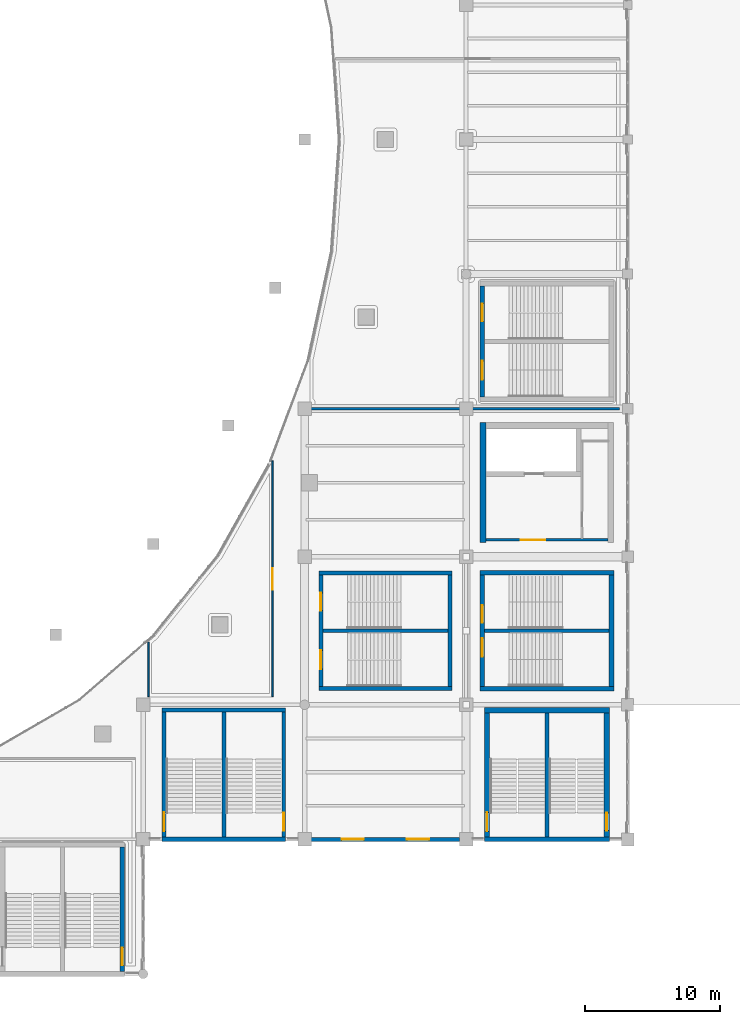
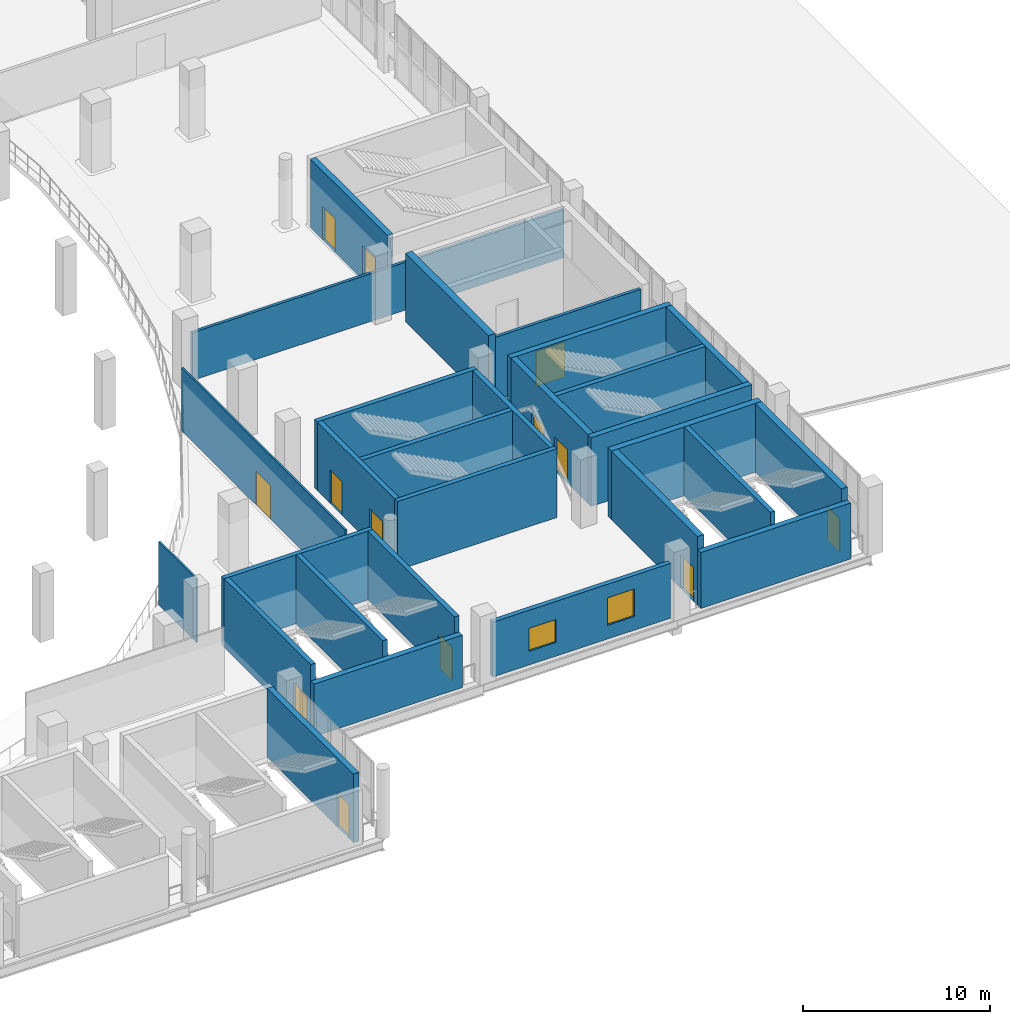
# One storey, part 84 of 108: 28 walls, 13 doors, 2 windows, 15 openings.
"""IFC4 building model written with IfcOpenShell, lengths in metres."""

from ifc_helpers import new_model, si_unit, direction, frame, frame_2d, origin, place, context, subcontext, project, spatial, rectangle, extrude, material, layer, layer_set, type_object, element, fill, save


model = new_model("IFC4")

# Units and contexts
model_context = context("Model", 3, precision=1e-05, world=origin(), true_north=direction((0.0, 1.0)))
body_context = subcontext(model_context, "Body", "Model", "MODEL_VIEW")
ifc_project = project(units=[si_unit("LENGTHUNIT", "METRE"), si_unit("AREAUNIT", "SQUARE_METRE"), si_unit("VOLUMEUNIT", "CUBIC_METRE"), si_unit("PLANEANGLEUNIT", "RADIAN"), si_unit("MASSUNIT", "GRAM", prefix="KILO")], contexts=[model_context])

# Site, building, storey
site_placement = place(None, origin())
site = spatial("IfcSite", under=ifc_project, at=site_placement, CompositionType="ELEMENT")
building_placement = place(site_placement, origin())
building = spatial("IfcBuilding", under=site, at=building_placement, Name="Brinegate Civic Arena", CompositionType="ELEMENT")
storey_placement = place(building_placement, frame((0.0, 0.0, 10.199951171875)))
storey = spatial("IfcBuildingStorey", under=building, at=storey_placement, Name="L02", CompositionType="ELEMENT", Elevation=10.199951171875)

# Wall, opening, door
ifc_material_1 = material(Name="Concrete C50/60", Category="concrete")
ifc_layer_1 = layer(ifc_material_1, 0.35009765625, Name="Concrete C50/60")
ifc_layer_set_1 = layer_set([ifc_layer_1], Name="Concrete C50/60")
wall_type_1 = type_object("IfcWallType", Name="WALL-CORE-SHEAR-350", PredefinedType="SHEAR", material=ifc_layer_set_1)
wall_1_placement = place(storey_placement, frame((130.449951171875, 0.175048828125, 0.0), z_axis=(0.0, 0.0, 1.0), x_axis=(0.0, 1.0, 0.0)))
wall_1 = element("IfcWall", 1, at=wall_1_placement, inside=storey, type_object=wall_type_1, Name="Stair ST-04 East Shear Wall L02 (WBC-06)", PredefinedType="SHEAR", context=body_context, shape_type="SweptSolid", body=[
    extrude(rectangle(XDim=9.25, YDim=0.35009765625, at=frame_2d((4.625, 0.0))), origin(), (0.0, 0.0, 1.0), 4.5),
])
opening_1_placement = place(wall_1_placement, frame((0.465087890625, 0.0, 0.0)))
opening_1 = element("IfcOpeningElement", 2, at=opening_1_placement, cuts=wall_1, Name="Opening D-ST04B-L02", PredefinedType="OPENING", context=body_context, shape_type="SweptSolid", body=[
    extrude(rectangle(XDim=1.320068359375, YDim=2.199951171875, at=frame_2d((0.66015625, 1.10009765625))), frame((0.0, 0.18505859375, 0.0), z_axis=(0.0, -1.0, 0.0), x_axis=(1.0, 0.0, 0.0)), (0.0, 0.0, 1.0), 0.3701171875),
])
ifc_material_2 = material(Name="Galvanized hurricane steel", Category="steel")
door_type_1 = type_object("IfcDoorType", Name="DOOR-STAIR-2200X2200", OperationType="NOTDEFINED", PredefinedType="DOOR", material=ifc_material_2)
door_1_placement = place(opening_1_placement, origin())
door_1 = element("IfcDoor", 3, at=door_1_placement, inside=storey, type_object=door_type_1, Name="Protected Exit Stair Door D-ST04B-L02", OperationType="DOUBLE_DOOR_SINGLE_SWING", OverallHeight=2.199951171875, OverallWidth=1.320068359375, PredefinedType="DOOR", context=body_context, shape_type="SweptSolid", body=[
    extrude(rectangle(XDim=1.320068359375, YDim=2.199951171875, at=frame_2d((0.66015625, 1.10009765625))), frame((0.0, 0.02490234375, 0.0), z_axis=(0.0, -1.0, 0.0), x_axis=(1.0, 0.0, 0.0)), (0.0, 0.0, 1.0), 0.050048828125),
])
fill(opening_1, door_1)

# Wall, openings, doors
wall_2_placement = place(storey_placement, frame((157.199951171875, 42.875, 0.0), z_axis=(0.0, 0.0, 1.0), x_axis=(0.0, 1.0, 0.0)))
wall_2 = element("IfcWall", 4, at=wall_2_placement, inside=storey, type_object=wall_type_1, Name="Stair ST-10 West Shear Wall L02 (WBD-66)", PredefinedType="SHEAR", context=body_context, shape_type="SweptSolid", body=[
    extrude(rectangle(XDim=8.25, YDim=0.35009765625, at=frame_2d((4.125, 0.0))), origin(), (0.0, 0.0, 1.0), 4.5),
])
opening_2_placement = place(wall_2_placement, frame((1.27490234375, 0.0, 0.0)))
opening_2 = element("IfcOpeningElement", 5, at=opening_2_placement, cuts=wall_2, Name="Opening D-ST10A-L02", PredefinedType="OPENING", context=body_context, shape_type="SweptSolid", body=[
    extrude(rectangle(XDim=1.39990234375, YDim=2.199951171875, at=frame_2d((0.699951171875, 1.10009765625))), frame((0.0, 0.18505859375, 0.0), z_axis=(0.0, -1.0, 0.0), x_axis=(1.0, 0.0, 0.0)), (0.0, 0.0, 1.0), 0.3701171875),
])
opening_3_placement = place(wall_2_placement, frame((5.614990234375, 0.0, 0.0)))
opening_3 = element("IfcOpeningElement", 6, at=opening_3_placement, cuts=wall_2, Name="Opening D-ST10B-L02", PredefinedType="OPENING", context=body_context, shape_type="SweptSolid", body=[
    extrude(rectangle(XDim=1.320068359375, YDim=2.199951171875, at=frame_2d((0.66015625, 1.10009765625))), frame((0.0, 0.18505859375, 0.0), z_axis=(0.0, -1.0, 0.0), x_axis=(1.0, 0.0, 0.0)), (0.0, 0.0, 1.0), 0.3701171875),
])
door_2_placement = place(opening_3_placement, origin())
door_2 = element("IfcDoor", 7, at=door_2_placement, inside=storey, type_object=door_type_1, Name="Protected Exit Stair Door D-ST10B-L02", OperationType="DOUBLE_DOOR_SINGLE_SWING", OverallHeight=2.199951171875, OverallWidth=1.320068359375, PredefinedType="DOOR", context=body_context, shape_type="SweptSolid", body=[
    extrude(rectangle(XDim=1.320068359375, YDim=2.199951171875, at=frame_2d((0.66015625, 1.10009765625))), frame((0.0, 0.02490234375, 0.0), z_axis=(0.0, -1.0, 0.0), x_axis=(1.0, 0.0, 0.0)), (0.0, 0.0, 1.0), 0.050048828125),
])
fill(opening_3, door_2)
door_type_2 = type_object("IfcDoorType", Name="DOOR-STAIR-2400X2200", OperationType="NOTDEFINED", PredefinedType="DOOR", material=ifc_material_2)
door_3_placement = place(opening_2_placement, origin())
door_3 = element("IfcDoor", 8, at=door_3_placement, inside=storey, type_object=door_type_2, Name="Protected Exit Stair Door D-ST10A-L02", OperationType="DOUBLE_DOOR_SINGLE_SWING", OverallHeight=2.199951171875, OverallWidth=1.39990234375, PredefinedType="DOOR", context=body_context, shape_type="SweptSolid", body=[
    extrude(rectangle(XDim=1.39990234375, YDim=2.199951171875, at=frame_2d((0.699951171875, 1.10009765625))), frame((0.0, 0.02490234375, 0.0), z_axis=(0.0, -1.0, 0.0), x_axis=(1.0, 0.0, 0.0)), (0.0, 0.0, 1.0), 0.050048828125),
])
fill(opening_2, door_3)

# Walls
for number, where, z_axis, x_axis, name in (
    (9, (157.02490234375, 21.199951171875, 0.0), (0.0, 0.0, 1.0), (1.0, 0.0, 0.0), "Stair ST-19 South Shear Wall L02 (WBL-36)"),
    (10, (157.02490234375, 29.800048828125, 0.0), (0.0, 0.0, 1.0), (1.0, 0.0, 0.0), "Stair ST-19 North Shear Wall L02 (WBL-37)"),
):
    element("IfcWall", number, at=place(storey_placement, frame(where, z_axis=z_axis, x_axis=x_axis)), inside=storey, type_object=wall_type_1, Name=name, PredefinedType="SHEAR", context=body_context, shape_type="SweptSolid", body=[
        extrude(rectangle(XDim=9.9501953125, YDim=0.35009765625, at=frame_2d((4.97509765625, 0.0))), origin(), (0.0, 0.0, 1.0), 4.5),
    ])

# Wall, openings, doors
wall_3_placement = place(storey_placement, frame((157.199951171875, 21.375, 0.0), z_axis=(0.0, 0.0, 1.0), x_axis=(0.0, 1.0, 0.0)))
wall_3 = element("IfcWall", 11, at=wall_3_placement, inside=storey, type_object=wall_type_1, Name="Stair ST-19 West Shear Wall L02 (WBL-38)", PredefinedType="SHEAR", context=body_context, shape_type="SweptSolid", body=[
    extrude(rectangle(XDim=8.25, YDim=0.35009765625, at=frame_2d((4.125, 0.0))), origin(), (0.0, 0.0, 1.0), 4.5),
])
opening_4_placement = place(wall_3_placement, frame((2.175048828125, 0.0, 0.0)))
opening_4 = element("IfcOpeningElement", 12, at=opening_4_placement, cuts=wall_3, Name="Opening D-ST19A-L02", PredefinedType="OPENING", context=body_context, shape_type="SweptSolid", body=[
    extrude(rectangle(XDim=1.39990234375, YDim=2.199951171875, at=frame_2d((0.699951171875, 1.10009765625))), frame((0.0, 0.18505859375, 0.0), z_axis=(0.0, -1.0, 0.0), x_axis=(1.0, 0.0, 0.0)), (0.0, 0.0, 1.0), 0.3701171875),
])
opening_5_placement = place(wall_3_placement, frame((4.715087890625, 0.0, 0.0)))
opening_5 = element("IfcOpeningElement", 13, at=opening_5_placement, cuts=wall_3, Name="Opening D-ST19B-L02", PredefinedType="OPENING", context=body_context, shape_type="SweptSolid", body=[
    extrude(rectangle(XDim=1.320068359375, YDim=2.199951171875, at=frame_2d((0.66015625, 1.10009765625))), frame((0.0, 0.18505859375, 0.0), z_axis=(0.0, -1.0, 0.0), x_axis=(1.0, 0.0, 0.0)), (0.0, 0.0, 1.0), 0.3701171875),
])
door_4_placement = place(opening_5_placement, origin())
door_4 = element("IfcDoor", 14, at=door_4_placement, inside=storey, type_object=door_type_1, Name="Protected Exit Stair Door D-ST19B-L02", OperationType="DOUBLE_DOOR_SINGLE_SWING", OverallHeight=2.199951171875, OverallWidth=1.320068359375, PredefinedType="DOOR", context=body_context, shape_type="SweptSolid", body=[
    extrude(rectangle(XDim=1.320068359375, YDim=2.199951171875, at=frame_2d((0.66015625, 1.10009765625))), frame((0.0, 0.02490234375, 0.0), z_axis=(0.0, -1.0, 0.0), x_axis=(1.0, 0.0, 0.0)), (0.0, 0.0, 1.0), 0.050048828125),
])
fill(opening_5, door_4)
door_5_placement = place(opening_4_placement, origin())
door_5 = element("IfcDoor", 15, at=door_5_placement, inside=storey, type_object=door_type_2, Name="Protected Exit Stair Door D-ST19A-L02", OperationType="DOUBLE_DOOR_SINGLE_SWING", OverallHeight=2.199951171875, OverallWidth=1.39990234375, PredefinedType="DOOR", context=body_context, shape_type="SweptSolid", body=[
    extrude(rectangle(XDim=1.39990234375, YDim=2.199951171875, at=frame_2d((0.699951171875, 1.10009765625))), frame((0.0, 0.02490234375, 0.0), z_axis=(0.0, -1.0, 0.0), x_axis=(1.0, 0.0, 0.0)), (0.0, 0.0, 1.0), 0.050048828125),
])
fill(opening_4, door_5)

# Walls
wall_4_placement = place(storey_placement, frame((166.800048828125, 21.375, 0.0), z_axis=(0.0, 0.0, 1.0), x_axis=(0.0, 1.0, 0.0)))
element("IfcWall", 16, at=wall_4_placement, inside=storey, type_object=wall_type_1, Name="Stair ST-19 East Shear Wall L02 (WBL-39)", PredefinedType="SHEAR", context=body_context, shape_type="SweptSolid", body=[
    extrude(rectangle(XDim=8.25, YDim=0.35009765625, at=frame_2d((4.125, 0.0))), origin(), (0.0, 0.0, 1.0), 4.5),
])
ifc_layer_2 = layer(ifc_material_1, 0.389892578125, Name="Concrete C50/60")
ifc_layer_set_2 = layer_set([ifc_layer_2], Name="Concrete C50/60")
wall_type_2 = type_object("IfcWallType", Name="WALL-CORE-SHEAR-390", PredefinedType="SHEAR", material=ifc_layer_set_2)
wall_5_placement = place(storey_placement, frame((157.35498046875, 19.60009765625, 0.0), z_axis=(0.0, 0.0, 1.0), x_axis=(1.0, 0.0, 0.0)))
element("IfcWall", 17, at=wall_5_placement, inside=storey, type_object=wall_type_2, Name="Stair ST-06 North Shear Wall L02 (WBC-54)", PredefinedType="SHEAR", context=body_context, shape_type="SweptSolid", body=[
    extrude(rectangle(XDim=9.2900390625, YDim=0.389892578125, at=frame_2d((4.64501953125, 0.0))), origin(), (0.0, 0.0, 1.0), 4.5),
])

# Wall, opening, door
wall_6_placement = place(storey_placement, frame((157.550048828125, 10.175048828125, 0.0), z_axis=(0.0, 0.0, 1.0), x_axis=(0.0, 1.0, 0.0)))
wall_6 = element("IfcWall", 18, at=wall_6_placement, inside=storey, type_object=wall_type_2, Name="Stair ST-06 West Shear Wall L02 (WBC-55)", PredefinedType="SHEAR", context=body_context, shape_type="SweptSolid", body=[
    extrude(rectangle(XDim=9.22998046875, YDim=0.389892578125, at=frame_2d((4.614990234375, 0.0))), origin(), (0.0, 0.0, 1.0), 4.5),
])
opening_6_placement = place(wall_6_placement, frame((0.425048828125, 0.0, 0.0)))
opening_6 = element("IfcOpeningElement", 19, at=opening_6_placement, cuts=wall_6, Name="Opening D-ST06A-L02", PredefinedType="OPENING", context=body_context, shape_type="SweptSolid", body=[
    extrude(rectangle(XDim=1.39990234375, YDim=2.199951171875, at=frame_2d((0.699951171875, 1.10009765625))), frame((0.0, 0.204833984375, 0.0), z_axis=(0.0, -1.0, 0.0), x_axis=(1.0, 0.0, 0.0)), (0.0, 0.0, 1.0), 0.409912109375),
])
door_6_placement = place(opening_6_placement, frame((1.39990234375, 0.0, 0.0), z_axis=(0.0, 0.0, 1.0), x_axis=(-1.0, 0.0, 0.0)))
door_6 = element("IfcDoor", 20, at=door_6_placement, inside=storey, type_object=door_type_2, Name="Protected Exit Stair Door D-ST06A-L02", OperationType="DOUBLE_DOOR_SINGLE_SWING", OverallHeight=2.199951171875, OverallWidth=1.39990234375, PredefinedType="DOOR", context=body_context, shape_type="SweptSolid", body=[
    extrude(rectangle(XDim=1.39990234375, YDim=2.199951171875, at=frame_2d((0.699951171875, 1.10009765625))), frame((0.0, 0.02490234375, 0.0), z_axis=(0.0, -1.0, 0.0), x_axis=(1.0, 0.0, 0.0)), (0.0, 0.0, 1.0), 0.050048828125),
])
fill(opening_6, door_6)

wall_7_placement = place(storey_placement, frame((166.449951171875, 10.175048828125, 0.0), z_axis=(0.0, 0.0, 1.0), x_axis=(0.0, 1.0, 0.0)))
wall_7 = element("IfcWall", 21, at=wall_7_placement, inside=storey, type_object=wall_type_2, Name="Stair ST-06 East Shear Wall L02 (WBC-56)", PredefinedType="SHEAR", context=body_context, shape_type="SweptSolid", body=[
    extrude(rectangle(XDim=9.22998046875, YDim=0.389892578125, at=frame_2d((4.614990234375, 0.0))), origin(), (0.0, 0.0, 1.0), 4.5),
])
opening_7_placement = place(wall_7_placement, frame((0.465087890625, 0.0, 0.0)))
opening_7 = element("IfcOpeningElement", 22, at=opening_7_placement, cuts=wall_7, Name="Opening D-ST06B-L02", PredefinedType="OPENING", context=body_context, shape_type="SweptSolid", body=[
    extrude(rectangle(XDim=1.320068359375, YDim=2.199951171875, at=frame_2d((0.66015625, 1.10009765625))), frame((0.0, 0.204833984375, 0.0), z_axis=(0.0, -1.0, 0.0), x_axis=(1.0, 0.0, 0.0)), (0.0, 0.0, 1.0), 0.409912109375),
])
door_7_placement = place(opening_7_placement, origin())
door_7 = element("IfcDoor", 23, at=door_7_placement, inside=storey, type_object=door_type_1, Name="Protected Exit Stair Door D-ST06B-L02", OperationType="DOUBLE_DOOR_SINGLE_SWING", OverallHeight=2.199951171875, OverallWidth=1.320068359375, PredefinedType="DOOR", context=body_context, shape_type="SweptSolid", body=[
    extrude(rectangle(XDim=1.320068359375, YDim=2.199951171875, at=frame_2d((0.66015625, 1.10009765625))), frame((0.0, 0.02490234375, 0.0), z_axis=(0.0, -1.0, 0.0), x_axis=(1.0, 0.0, 0.0)), (0.0, 0.0, 1.0), 0.050048828125),
])
fill(opening_7, door_7)

# Wall
ifc_layer_3 = layer(ifc_material_1, 0.419921875, Name="Concrete C50/60")
ifc_layer_set_3 = layer_set([ifc_layer_3], Name="Concrete C50/60")
wall_type_3 = type_object("IfcWallType", Name="WALL-CORE-SHEAR-420", PredefinedType="SHEAR", material=ifc_layer_set_3)
wall_8_placement = place(storey_placement, frame((157.25, 32.0400390625, 0.0), z_axis=(0.0, 0.0, 1.0), x_axis=(0.0, 1.0, 0.0)))
element("IfcWall", 24, at=wall_8_placement, inside=storey, type_object=wall_type_3, Name="Core K6 West Shear Wall L02 (WBH-96)", PredefinedType="SHEAR", context=body_context, shape_type="SweptSolid", body=[
    extrude(rectangle(XDim=8.919921875, YDim=0.419921875, at=frame_2d((4.4599609375, 0.0))), origin(), (0.0, 0.0, 1.0), 4.5),
])

# Wall, openings, windows
ifc_material_3 = material(Name="Precast concrete C45/55", Category="concrete")
ifc_layer_4 = layer(ifc_material_3, 0.284912109375, Name="Precast concrete C45/55")
ifc_layer_set_4 = layer_set([ifc_layer_4], Name="Precast concrete C45/55")
wall_type_4 = type_object("IfcWallType", Name="WALL-EXT-PRECAST-285", PredefinedType="SOLIDWALL", material=ifc_layer_set_4)
wall_9_placement = place(storey_placement, frame((144.485107421875, 10.0, 0.0), z_axis=(0.0, 0.0, 1.0), x_axis=(1.0, 0.0, 0.0)))
wall_9 = element("IfcWall", 25, at=wall_9_placement, inside=storey, type_object=wall_type_4, Name="Perimeter Window Wall L02-10 (WBA-10)", PredefinedType="SOLIDWALL", context=body_context, shape_type="SweptSolid", body=[
    extrude(rectangle(XDim=11.02978515625, YDim=0.284912109375, at=frame_2d((5.514892578125, 0.0))), origin(), (0.0, 0.0, 1.0), 3.5859375),
])
opening_8_placement = place(wall_9_placement, frame((2.262939453125, 0.0, 0.89990234375)))
opening_8 = element("IfcOpeningElement", 26, at=opening_8_placement, cuts=wall_9, Name="Opening WN-0017", PredefinedType="OPENING", context=body_context, shape_type="SweptSolid", body=[
    extrude(rectangle(XDim=1.64990234375, YDim=1.5, at=frame_2d((0.824951171875, 0.75))), frame((0.0, 0.15234375, 0.0), z_axis=(0.0, -1.0, 0.0), x_axis=(1.0, 0.0, 0.0)), (0.0, 0.0, 1.0), 0.304931640625),
])
opening_9_placement = place(wall_9_placement, frame((7.116943359375, 0.0, 0.89990234375)))
opening_9 = element("IfcOpeningElement", 27, at=opening_9_placement, cuts=wall_9, Name="Opening WN-0018", PredefinedType="OPENING", context=body_context, shape_type="SweptSolid", body=[
    extrude(rectangle(XDim=1.64990234375, YDim=1.800048828125, at=frame_2d((0.824951171875, 0.89990234375))), frame((0.0, 0.15234375, 0.0), z_axis=(0.0, -1.0, 0.0), x_axis=(1.0, 0.0, 0.0)), (0.0, 0.0, 1.0), 0.304931640625),
])
ifc_material_4 = material(Name="Hurricane laminated low-E glass", Category="glass")
window_type_1 = type_object("IfcWindowType", Name="WIN-CASEMENT-1650X1500", PartitioningType="SINGLE_PANEL", PredefinedType="WINDOW", material=ifc_material_4)
window_1_placement = place(opening_8_placement, origin())
window_1 = element("IfcWindow", 28, at=window_1_placement, inside=storey, type_object=window_type_1, Name="Window WN-0017", OverallHeight=1.5, OverallWidth=1.64990234375, PartitioningType="SINGLE_PANEL", PredefinedType="WINDOW", context=body_context, shape_type="SweptSolid", body=[
    extrude(rectangle(XDim=1.64990234375, YDim=1.5, at=frame_2d((0.824951171875, 0.75))), frame((0.0, 0.030029296875, 0.0), z_axis=(0.0, -1.0, 0.0), x_axis=(1.0, 0.0, 0.0)), (0.0, 0.0, 1.0), 0.06005859375),
])
fill(opening_8, window_1)
window_type_2 = type_object("IfcWindowType", Name="WIN-CASEMENT-1650X1800", PartitioningType="SINGLE_PANEL", PredefinedType="WINDOW", material=ifc_material_4)
window_2_placement = place(opening_9_placement, origin())
window_2 = element("IfcWindow", 29, at=window_2_placement, inside=storey, type_object=window_type_2, Name="Window WN-0018", OverallHeight=1.800048828125, OverallWidth=1.64990234375, PartitioningType="SINGLE_PANEL", PredefinedType="WINDOW", context=body_context, shape_type="SweptSolid", body=[
    extrude(rectangle(XDim=1.64990234375, YDim=1.800048828125, at=frame_2d((0.824951171875, 0.89990234375))), frame((0.0, 0.030029296875, 0.0), z_axis=(0.0, -1.0, 0.0), x_axis=(1.0, 0.0, 0.0)), (0.0, 0.0, 1.0), 0.06005859375),
])
fill(opening_9, window_2)

# Walls
ifc_layer_5 = layer(ifc_material_1, 0.35009765625, Name="Concrete C50/60")
ifc_layer_set_5 = layer_set([ifc_layer_5], Name="Concrete C50/60")
wall_type_5 = type_object("IfcWallType", Name="WALL-EXT-STAIR-SHEAR-350", PredefinedType="SHEAR", material=ifc_layer_set_5)
wall_10_placement = place(storey_placement, frame((157.35498046875, 10.0, 0.0), z_axis=(0.0, 0.0, 1.0), x_axis=(1.0, 0.0, 0.0)))
element("IfcWall", 30, at=wall_10_placement, inside=storey, type_object=wall_type_5, Name="Stair ST-06 South Shear Wall L02 (WBC-53)", PredefinedType="SHEAR", context=body_context, shape_type="SweptSolid", body=[
    extrude(rectangle(XDim=9.2900390625, YDim=0.35009765625, at=frame_2d((4.64501953125, 0.0))), origin(), (0.0, 0.0, 1.0), 3.6640625),
])
wall_11_placement = place(storey_placement, frame((133.405029296875, 10.0, 0.0), z_axis=(0.0, 0.0, 1.0), x_axis=(1.0, 0.0, 0.0)))
element("IfcWall", 31, at=wall_11_placement, inside=storey, type_object=wall_type_5, Name="Stair ST-14 South Shear Wall L02 (WBE-65)", PredefinedType="SHEAR", context=body_context, shape_type="SweptSolid", body=[
    extrude(rectangle(XDim=9.18994140625, YDim=0.35009765625, at=frame_2d((4.594970703125, 0.0))), origin(), (0.0, 0.0, 1.0), 3.43701171875),
])
ifc_material_5 = material(Name="Fire-rated gypsum partition assembly")
ifc_layer_6 = layer(ifc_material_5, 0.175048828125, Name="Fire-rated gypsum partition assembly")
ifc_layer_set_6 = layer_set([ifc_layer_6], Name="Fire-rated gypsum partition assembly")
wall_type_6 = type_object("IfcWallType", Name="WALL-PART-RATED-175", PredefinedType="PARTITIONING", material=ifc_layer_set_6)
wall_12_placement = place(storey_placement, frame((167.39990234375, 42.0, 0.0), z_axis=(0.0, 0.0, 1.0), x_axis=(-1.0, 0.0, 0.0)))
element("IfcWall", 32, at=wall_12_placement, inside=storey, type_object=wall_type_6, Name="East Club Culinary Lounge and Bar Partition Wall E1 (WBJ-29)", PredefinedType="PARTITIONING", context=body_context, shape_type="SweptSolid", body=[
    extrude(rectangle(XDim=23.0, YDim=0.175048828125, at=frame_2d((11.5, 0.0))), origin(), (0.0, 0.0, 1.0), 3.130126953125),
])

# Wall, opening, door
ifc_material_6 = material(Name="Concrete blockwork masonry", Category="masonry")
ifc_layer_7 = layer(ifc_material_6, 0.18994140625, Name="Concrete blockwork masonry")
ifc_layer_set_7 = layer_set([ifc_layer_7], Name="Concrete blockwork masonry")
wall_type_7 = type_object("IfcWallType", Name="WALL-PART-RATED-190", PredefinedType="PARTITIONING", material=ifc_layer_set_7)
wall_13_placement = place(storey_placement, frame((157.469970703125, 32.25, 0.0), z_axis=(0.0, 0.0, 1.0), x_axis=(1.0, 0.0, 0.0)))
wall_13 = element("IfcWall", 33, at=wall_13_placement, inside=storey, type_object=wall_type_7, Name="Core K6 Concourse Lobby Wall L02 (WBI-02)", PredefinedType="PARTITIONING", context=body_context, shape_type="SweptSolid", body=[
    extrude(rectangle(XDim=9.06005859375, YDim=0.18994140625, at=frame_2d((4.530029296875, 0.0))), origin(), (0.0, 0.0, 1.0), 4.150146484375),
])
opening_10_placement = place(wall_13_placement, frame((2.60009765625, 0.0, 0.0)))
opening_10 = element("IfcOpeningElement", 34, at=opening_10_placement, cuts=wall_13, Name="Opening D-K6L-L02", PredefinedType="OPENING", context=body_context, shape_type="SweptSolid", body=[
    extrude(rectangle(XDim=1.800048828125, YDim=2.300048828125, at=frame_2d((0.89990234375, 1.14990234375))), frame((0.0, 0.10498046875, 0.0), z_axis=(0.0, -1.0, 0.0), x_axis=(1.0, 0.0, 0.0)), (0.0, 0.0, 1.0), 0.2099609375),
])
ifc_material_7 = material(Name="Marine grade aluminium", Category="aluminium")
door_type_3 = type_object("IfcDoorType", Name="DOOR-CONC-1800X2300", OperationType="NOTDEFINED", PredefinedType="DOOR", material=ifc_material_7)
door_8_placement = place(opening_10_placement, origin())
door_8 = element("IfcDoor", 35, at=door_8_placement, inside=storey, type_object=door_type_3, Name="Lift Lobby Door D-K6L-L02", OperationType="DOUBLE_DOOR_SINGLE_SWING", OverallHeight=2.300048828125, OverallWidth=1.800048828125, PredefinedType="DOOR", context=body_context, shape_type="SweptSolid", body=[
    extrude(rectangle(XDim=1.800048828125, YDim=2.300048828125, at=frame_2d((0.89990234375, 1.14990234375))), frame((0.0, 0.02490234375, 0.0), z_axis=(0.0, -1.0, 0.0), x_axis=(1.0, 0.0, 0.0)), (0.0, 0.0, 1.0), 0.050048828125),
])
fill(opening_10, door_8)

# Wall
ifc_layer_8 = layer(ifc_material_5, 0.114990234375, Name="Fire-rated gypsum partition assembly")
ifc_layer_set_8 = layer_set([ifc_layer_8], Name="Fire-rated gypsum partition assembly")
wall_type_8 = type_object("IfcWallType", Name="WALL-PART-STD-115", PredefinedType="PARTITIONING", material=ifc_layer_set_8)
wall_14_placement = place(storey_placement, frame((132.39990234375, 20.60009765625, 0.0), z_axis=(0.0, 0.0, 1.0), x_axis=(0.0, 1.0, 0.0)))
element("IfcWall", 36, at=wall_14_placement, inside=storey, type_object=wall_type_8, Name="South-East Club Cocktail Lounge Partition Wall E1 (WBJ-41)", PredefinedType="PARTITIONING", context=body_context, shape_type="SweptSolid", body=[
    extrude(rectangle(XDim=4.06201171875, YDim=0.114990234375, at=frame_2d((2.031005859375, 0.0))), origin(), (0.0, 0.0, 1.0), 4.150146484375),
])

# Wall, opening, door
wall_15_placement = place(storey_placement, frame((141.60009765625, 38.118896484375, 0.0), z_axis=(0.0, 0.0, 1.0), x_axis=(0.0, -1.0, 0.0)))
wall_15 = element("IfcWall", 37, at=wall_15_placement, inside=storey, type_object=wall_type_8, Name="South-East Club Cocktail Lounge Partition Wall E8 (WBJ-42)", PredefinedType="PARTITIONING", context=body_context, shape_type="SweptSolid", body=[
    extrude(rectangle(XDim=17.518798828125, YDim=0.114990234375, at=frame_2d((8.75927734375, 0.0))), origin(), (0.0, 0.0, 1.0), 4.150146484375),
])
opening_11_placement = place(wall_15_placement, frame((7.9599609375, 0.0, 0.0)))
opening_11 = element("IfcOpeningElement", 38, at=opening_11_placement, cuts=wall_15, Name="Opening D-L02-191", PredefinedType="OPENING", context=body_context, shape_type="SweptSolid", body=[
    extrude(rectangle(XDim=1.60009765625, YDim=2.199951171875, at=frame_2d((0.800048828125, 1.10009765625))), frame((0.0, 0.0673828125, 0.0), z_axis=(0.0, -1.0, 0.0), x_axis=(1.0, 0.0, 0.0)), (0.0, 0.0, 1.0), 0.135009765625),
])
ifc_material_8 = material(Name="Hardwood acoustic timber door", Category="wood")
door_type_4 = type_object("IfcDoorType", Name="DOOR-CLUB-1600X2200", OperationType="NOTDEFINED", PredefinedType="DOOR", material=ifc_material_8)
door_9_placement = place(opening_11_placement, origin())
door_9 = element("IfcDoor", 39, at=door_9_placement, inside=storey, type_object=door_type_4, Name="South-East Club Cocktail Lounge Door D-L02-191", OperationType="DOUBLE_DOOR_SINGLE_SWING", OverallHeight=2.199951171875, OverallWidth=1.60009765625, PredefinedType="DOOR", context=body_context, shape_type="SweptSolid", body=[
    extrude(rectangle(XDim=1.60009765625, YDim=2.199951171875, at=frame_2d((0.800048828125, 1.10009765625))), frame((0.0, 0.02490234375, 0.0), z_axis=(0.0, -1.0, 0.0), x_axis=(1.0, 0.0, 0.0)), (0.0, 0.0, 1.0), 0.050048828125),
])
fill(opening_11, door_9)

# Walls
ifc_layer_9 = layer(ifc_material_1, 0.2900390625, Name="Concrete C50/60")
ifc_layer_set_9 = layer_set([ifc_layer_9], Name="Concrete C50/60")
wall_type_9 = type_object("IfcWallType", Name="WALL-STAIR-SHEAR-290", PredefinedType="SHEAR", material=ifc_layer_set_9)
wall_16_placement = place(storey_placement, frame((162.0, 10.175048828125, 0.0), z_axis=(0.0, 0.0, 1.0), x_axis=(0.0, 1.0, 0.0)))
element("IfcWall", 40, at=wall_16_placement, inside=storey, type_object=wall_type_9, Name="Stair ST-06 Central Dividing Shear Wall L02 (WBC-57)", PredefinedType="SHEAR", context=body_context, shape_type="SweptSolid", body=[
    extrude(rectangle(XDim=9.22998046875, YDim=0.2900390625, at=frame_2d((4.614990234375, 0.0))), origin(), (0.0, 0.0, 1.0), 4.5),
])
wall_17_placement = place(storey_placement, frame((133.405029296875, 19.60009765625, 0.0), z_axis=(0.0, 0.0, 1.0), x_axis=(1.0, 0.0, 0.0)))
element("IfcWall", 41, at=wall_17_placement, inside=storey, type_object=wall_type_9, Name="Stair ST-14 North Shear Wall L02 (WBE-66)", PredefinedType="SHEAR", context=body_context, shape_type="SweptSolid", body=[
    extrude(rectangle(XDim=9.18994140625, YDim=0.2900390625, at=frame_2d((4.594970703125, 0.0))), origin(), (0.0, 0.0, 1.0), 4.5),
])

# Wall, opening, door
wall_18_placement = place(storey_placement, frame((133.550048828125, 10.175048828125, 0.0), z_axis=(0.0, 0.0, 1.0), x_axis=(0.0, 1.0, 0.0)))
wall_18 = element("IfcWall", 42, at=wall_18_placement, inside=storey, type_object=wall_type_9, Name="Stair ST-14 West Shear Wall L02 (WBE-67)", PredefinedType="SHEAR", context=body_context, shape_type="SweptSolid", body=[
    extrude(rectangle(XDim=9.280029296875, YDim=0.2900390625, at=frame_2d((4.64013671875, 0.0))), origin(), (0.0, 0.0, 1.0), 4.5),
])
opening_12_placement = place(wall_18_placement, frame((0.425048828125, 0.0, 0.0)))
opening_12 = element("IfcOpeningElement", 43, at=opening_12_placement, cuts=wall_18, Name="Opening D-ST14A-L02", PredefinedType="OPENING", context=body_context, shape_type="SweptSolid", body=[
    extrude(rectangle(XDim=1.39990234375, YDim=2.199951171875, at=frame_2d((0.699951171875, 1.10009765625))), frame((0.0, 0.155029296875, 0.0), z_axis=(0.0, -1.0, 0.0), x_axis=(1.0, 0.0, 0.0)), (0.0, 0.0, 1.0), 0.31005859375),
])
door_10_placement = place(opening_12_placement, frame((1.39990234375, 0.0, 0.0), z_axis=(0.0, 0.0, 1.0), x_axis=(-1.0, 0.0, 0.0)))
door_10 = element("IfcDoor", 44, at=door_10_placement, inside=storey, type_object=door_type_2, Name="Protected Exit Stair Door D-ST14A-L02", OperationType="DOUBLE_DOOR_SINGLE_SWING", OverallHeight=2.199951171875, OverallWidth=1.39990234375, PredefinedType="DOOR", context=body_context, shape_type="SweptSolid", body=[
    extrude(rectangle(XDim=1.39990234375, YDim=2.199951171875, at=frame_2d((0.699951171875, 1.10009765625))), frame((0.0, 0.02490234375, 0.0), z_axis=(0.0, -1.0, 0.0), x_axis=(1.0, 0.0, 0.0)), (0.0, 0.0, 1.0), 0.050048828125),
])
fill(opening_12, door_10)

wall_19_placement = place(storey_placement, frame((142.449951171875, 10.175048828125, 0.0), z_axis=(0.0, 0.0, 1.0), x_axis=(0.0, 1.0, 0.0)))
wall_19 = element("IfcWall", 45, at=wall_19_placement, inside=storey, type_object=wall_type_9, Name="Stair ST-14 East Shear Wall L02 (WBE-68)", PredefinedType="SHEAR", context=body_context, shape_type="SweptSolid", body=[
    extrude(rectangle(XDim=9.280029296875, YDim=0.2900390625, at=frame_2d((4.64013671875, 0.0))), origin(), (0.0, 0.0, 1.0), 4.5),
])
opening_13_placement = place(wall_19_placement, frame((0.465087890625, 0.0, 0.0)))
opening_13 = element("IfcOpeningElement", 46, at=opening_13_placement, cuts=wall_19, Name="Opening D-ST14B-L02", PredefinedType="OPENING", context=body_context, shape_type="SweptSolid", body=[
    extrude(rectangle(XDim=1.320068359375, YDim=2.199951171875, at=frame_2d((0.66015625, 1.10009765625))), frame((0.0, 0.155029296875, 0.0), z_axis=(0.0, -1.0, 0.0), x_axis=(1.0, 0.0, 0.0)), (0.0, 0.0, 1.0), 0.31005859375),
])
door_11_placement = place(opening_13_placement, origin())
door_11 = element("IfcDoor", 47, at=door_11_placement, inside=storey, type_object=door_type_1, Name="Protected Exit Stair Door D-ST14B-L02", OperationType="DOUBLE_DOOR_SINGLE_SWING", OverallHeight=2.199951171875, OverallWidth=1.320068359375, PredefinedType="DOOR", context=body_context, shape_type="SweptSolid", body=[
    extrude(rectangle(XDim=1.320068359375, YDim=2.199951171875, at=frame_2d((0.66015625, 1.10009765625))), frame((0.0, 0.02490234375, 0.0), z_axis=(0.0, -1.0, 0.0), x_axis=(1.0, 0.0, 0.0)), (0.0, 0.0, 1.0), 0.050048828125),
])
fill(opening_13, door_11)

# Walls
wall_20_placement = place(storey_placement, frame((138.0, 10.175048828125, 0.0), z_axis=(0.0, 0.0, 1.0), x_axis=(0.0, 1.0, 0.0)))
element("IfcWall", 48, at=wall_20_placement, inside=storey, type_object=wall_type_9, Name="Stair ST-14 Central Dividing Shear Wall L02 (WBE-69)", PredefinedType="SHEAR", context=body_context, shape_type="SweptSolid", body=[
    extrude(rectangle(XDim=9.280029296875, YDim=0.2900390625, at=frame_2d((4.64013671875, 0.0))), origin(), (0.0, 0.0, 1.0), 4.5),
])
for number, where, z_axis, x_axis, name in (
    (49, (145.054931640625, 21.199951171875, 0.0), (0.0, 0.0, 1.0), (1.0, 0.0, 0.0), "Stair ST-17 South Shear Wall L02 (WBK-85)"),
    (50, (145.054931640625, 29.800048828125, 0.0), (0.0, 0.0, 1.0), (1.0, 0.0, 0.0), "Stair ST-17 North Shear Wall L02 (WBK-86)"),
):
    element("IfcWall", number, at=place(storey_placement, frame(where, z_axis=z_axis, x_axis=x_axis)), inside=storey, type_object=wall_type_9, Name=name, PredefinedType="SHEAR", context=body_context, shape_type="SweptSolid", body=[
        extrude(rectangle(XDim=9.89013671875, YDim=0.2900390625, at=frame_2d((4.945068359375, 0.0))), origin(), (0.0, 0.0, 1.0), 4.5),
    ])

# Wall, openings, doors
wall_21_placement = place(storey_placement, frame((145.199951171875, 21.344970703125, 0.0), z_axis=(0.0, 0.0, 1.0), x_axis=(0.0, 1.0, 0.0)))
wall_21 = element("IfcWall", 51, at=wall_21_placement, inside=storey, type_object=wall_type_9, Name="Stair ST-17 West Shear Wall L02 (WBK-87)", PredefinedType="SHEAR", context=body_context, shape_type="SweptSolid", body=[
    extrude(rectangle(XDim=8.31005859375, YDim=0.2900390625, at=frame_2d((4.155029296875, 0.0))), origin(), (0.0, 0.0, 1.0), 4.5),
])
opening_14_placement = place(wall_21_placement, frame((1.304931640625, 0.0, 0.0)))
opening_14 = element("IfcOpeningElement", 52, at=opening_14_placement, cuts=wall_21, Name="Opening D-ST17A-L02", PredefinedType="OPENING", context=body_context, shape_type="SweptSolid", body=[
    extrude(rectangle(XDim=1.39990234375, YDim=2.199951171875, at=frame_2d((0.699951171875, 1.10009765625))), frame((0.0, 0.155029296875, 0.0), z_axis=(0.0, -1.0, 0.0), x_axis=(1.0, 0.0, 0.0)), (0.0, 0.0, 1.0), 0.31005859375),
])
opening_15_placement = place(wall_21_placement, frame((5.64501953125, 0.0, 0.0)))
opening_15 = element("IfcOpeningElement", 53, at=opening_15_placement, cuts=wall_21, Name="Opening D-ST17B-L02", PredefinedType="OPENING", context=body_context, shape_type="SweptSolid", body=[
    extrude(rectangle(XDim=1.320068359375, YDim=2.199951171875, at=frame_2d((0.66015625, 1.10009765625))), frame((0.0, 0.155029296875, 0.0), z_axis=(0.0, -1.0, 0.0), x_axis=(1.0, 0.0, 0.0)), (0.0, 0.0, 1.0), 0.31005859375),
])
door_12_placement = place(opening_15_placement, origin())
door_12 = element("IfcDoor", 54, at=door_12_placement, inside=storey, type_object=door_type_1, Name="Protected Exit Stair Door D-ST17B-L02", OperationType="DOUBLE_DOOR_SINGLE_SWING", OverallHeight=2.199951171875, OverallWidth=1.320068359375, PredefinedType="DOOR", context=body_context, shape_type="SweptSolid", body=[
    extrude(rectangle(XDim=1.320068359375, YDim=2.199951171875, at=frame_2d((0.66015625, 1.10009765625))), frame((0.0, 0.02490234375, 0.0), z_axis=(0.0, -1.0, 0.0), x_axis=(1.0, 0.0, 0.0)), (0.0, 0.0, 1.0), 0.050048828125),
])
fill(opening_15, door_12)
door_13_placement = place(opening_14_placement, origin())
door_13 = element("IfcDoor", 55, at=door_13_placement, inside=storey, type_object=door_type_2, Name="Protected Exit Stair Door D-ST17A-L02", OperationType="DOUBLE_DOOR_SINGLE_SWING", OverallHeight=2.199951171875, OverallWidth=1.39990234375, PredefinedType="DOOR", context=body_context, shape_type="SweptSolid", body=[
    extrude(rectangle(XDim=1.39990234375, YDim=2.199951171875, at=frame_2d((0.699951171875, 1.10009765625))), frame((0.0, 0.02490234375, 0.0), z_axis=(0.0, -1.0, 0.0), x_axis=(1.0, 0.0, 0.0)), (0.0, 0.0, 1.0), 0.050048828125),
])
fill(opening_14, door_13)

# Walls
wall_22_placement = place(storey_placement, frame((154.800048828125, 21.344970703125, 0.0), z_axis=(0.0, 0.0, 1.0), x_axis=(0.0, 1.0, 0.0)))
element("IfcWall", 56, at=wall_22_placement, inside=storey, type_object=wall_type_9, Name="Stair ST-17 East Shear Wall L02 (WBK-88)", PredefinedType="SHEAR", context=body_context, shape_type="SweptSolid", body=[
    extrude(rectangle(XDim=8.31005859375, YDim=0.2900390625, at=frame_2d((4.155029296875, 0.0))), origin(), (0.0, 0.0, 1.0), 4.5),
])
wall_23_placement = place(storey_placement, frame((145.344970703125, 25.5, 0.0), z_axis=(0.0, 0.0, 1.0), x_axis=(1.0, 0.0, 0.0)))
element("IfcWall", 57, at=wall_23_placement, inside=storey, type_object=wall_type_9, Name="Stair ST-17 Central Dividing Shear Wall L02 (WBK-89)", PredefinedType="SHEAR", context=body_context, shape_type="SweptSolid", body=[
    extrude(rectangle(XDim=9.31005859375, YDim=0.2900390625, at=frame_2d((4.655029296875, 0.0))), origin(), (0.0, 0.0, 1.0), 4.5),
])
wall_24_placement = place(storey_placement, frame((157.375, 25.5, 0.0), z_axis=(0.0, 0.0, 1.0), x_axis=(1.0, 0.0, 0.0)))
element("IfcWall", 58, at=wall_24_placement, inside=storey, type_object=wall_type_9, Name="Stair ST-19 Central Dividing Shear Wall L02 (WBL-40)", PredefinedType="SHEAR", context=body_context, shape_type="SweptSolid", body=[
    extrude(rectangle(XDim=9.25, YDim=0.2900390625, at=frame_2d((4.625, 0.0))), origin(), (0.0, 0.0, 1.0), 4.5),
])

save(model, "model.ifc")
